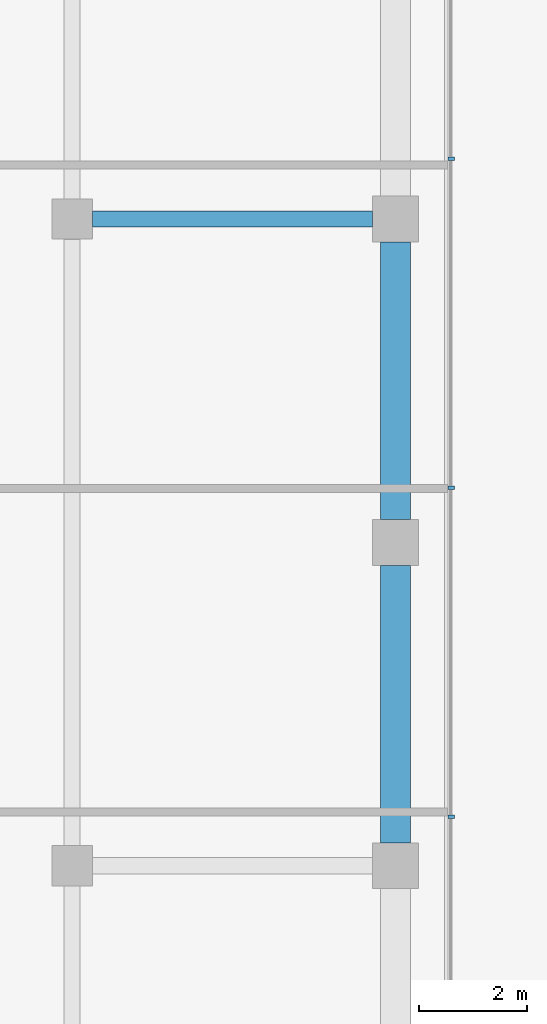
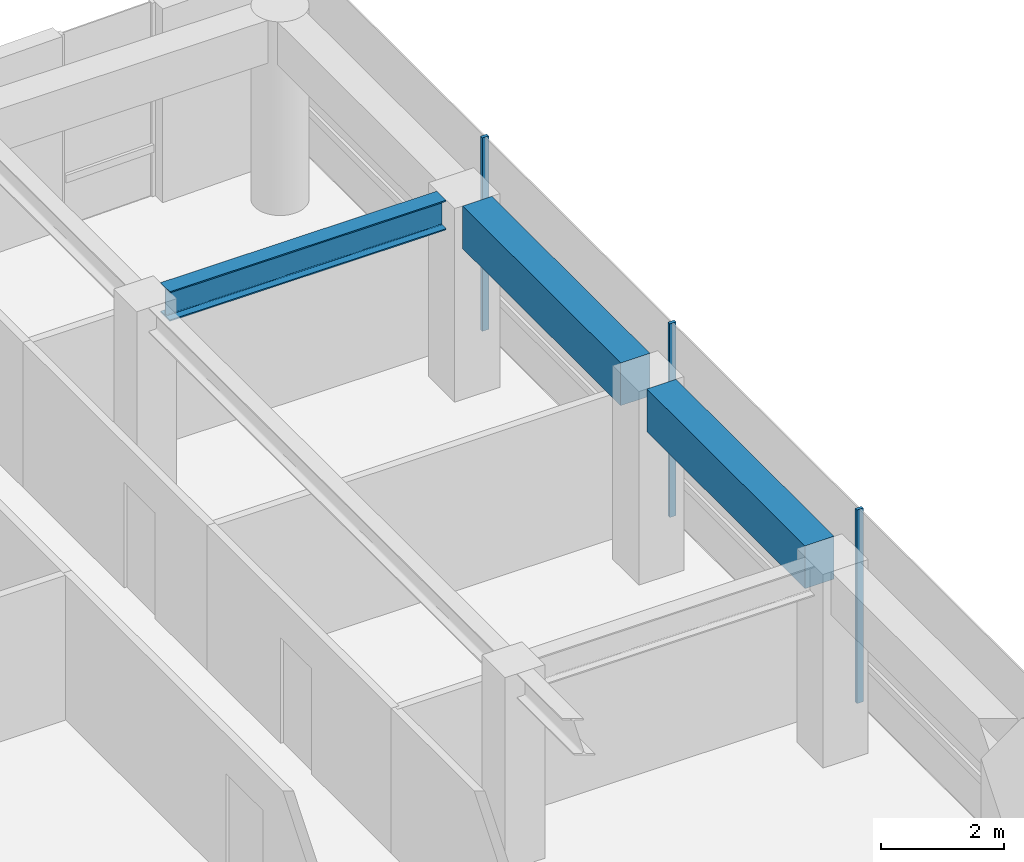
# One storey, part 13 of 20: 3 beams, 3 members, 1 element without a shape of its own.
"""IFC4 building model written with IfcOpenShell, lengths in metres."""

from ifc_helpers import new_model, si_unit, direction, frame, origin, origin_2d, place, context, subcontext, project, spatial, rectangle, i_section, extrude, material, layer, layer_set, material_profile, profile_set, type_object, element, aggregate, save


model = new_model("IFC4")

# Units and contexts
model_context = context("Model", 3, precision=1e-05, world=origin(), true_north=direction((0.0, 1.0)))
body_context = subcontext(model_context, "Body", "Model", "MODEL_VIEW")
ifc_project = project(units=[si_unit("LENGTHUNIT", "METRE"), si_unit("AREAUNIT", "SQUARE_METRE"), si_unit("VOLUMEUNIT", "CUBIC_METRE"), si_unit("PLANEANGLEUNIT", "RADIAN"), si_unit("MASSUNIT", "GRAM", prefix="KILO")], contexts=[model_context])

# Site, building, storey
site_placement = place(None, origin())
site = spatial("IfcSite", under=ifc_project, at=site_placement, CompositionType="ELEMENT")
building_placement = place(site_placement, origin())
building = spatial("IfcBuilding", under=site, at=building_placement, Name="Welwitschia Terrace Campus", CompositionType="ELEMENT")
storey_placement = place(building_placement, frame((0.0, 0.0, 176.0)))
storey = spatial("IfcBuildingStorey", under=building, at=storey_placement, Name="L39", CompositionType="ELEMENT", Elevation=176.0)

# Curtain wall, members
ifc_material_1 = material(Name="Bronze anodised aluminium", Category="aluminium")
ifc_layer = layer(ifc_material_1, 0.1201171875)
ifc_layer_set = layer_set([ifc_layer], Name="Bronze anodised aluminium")
curtain_wall_type = type_object("IfcCurtainWallType", Name="Curtain wall CW2 tower 6000", PredefinedType="NOTDEFINED", material=ifc_layer_set)
curtain_wall_placement = place(storey_placement, origin())
curtain_wall = element("IfcCurtainWall", 1, at=curtain_wall_placement, inside=storey, type_object=curtain_wall_type, Name="CW L39.9.0", PredefinedType="NOTDEFINED")
ifc_material_2 = material(Name="Bronze anodised aluminium", Category="aluminium")
ifc_material_profile_1 = material_profile(ifc_material_2, rectangle(XDim=0.1201171875, YDim=0.06005859375, at=origin_2d()))
ifc_profile_set_1 = profile_set([ifc_material_profile_1], Name="Bronze anodised aluminium")
member_type = type_object("IfcMemberType", Name="Mullion 60x120", PredefinedType="MULLION", material=ifc_profile_set_1)
member_1_placement = place(storey_placement, frame((25.030029296875, 44.912109375, 0.0), z_axis=(0.0, 0.0, 1.0), x_axis=(-1.0, 0.0, 0.0)))
member_1 = element("IfcMember", 2, at=member_1_placement, type_object=member_type, Name="Mullion L39.9.0.3", PredefinedType="MULLION", context=body_context, shape_type="SweptSolid", body=[
    extrude(rectangle(XDim=0.1201171875, YDim=0.06005859375, at=origin_2d()), origin(), (0.0, 0.0, 1.0), 3.85009765625),
])
member_2_placement = place(storey_placement, frame((25.030029296875, 51.01513671875, 0.0), z_axis=(0.0, 0.0, 1.0), x_axis=(-1.0, 0.0, 0.0)))
member_2 = element("IfcMember", 3, at=member_2_placement, type_object=member_type, Name="Mullion L39.9.0.4", PredefinedType="MULLION", context=body_context, shape_type="SweptSolid", body=[
    extrude(rectangle(XDim=0.1201171875, YDim=0.06005859375, at=origin_2d()), origin(), (0.0, 0.0, 1.0), 3.85009765625),
])
member_3_placement = place(storey_placement, frame((25.030029296875, 57.1181640625, 0.0), z_axis=(0.0, 0.0, 1.0), x_axis=(-1.0, 0.0, 0.0)))
member_3 = element("IfcMember", 4, at=member_3_placement, type_object=member_type, Name="Mullion L39.9.0.5", PredefinedType="MULLION", context=body_context, shape_type="SweptSolid", body=[
    extrude(rectangle(XDim=0.1201171875, YDim=0.06005859375, at=origin_2d()), origin(), (0.0, 0.0, 1.0), 3.85009765625),
])
aggregate(curtain_wall, [member_1, member_2, member_3])

# Beams
ifc_material_3 = material(Name="Steel S355", Category="steel")
ifc_material_profile_2 = material_profile(ifc_material_3, i_section(OverallWidth=0.300048828125, OverallDepth=0.590087890625, WebThickness=0.012939453125, FlangeThickness=0.02490234375, FilletRadius=0.027099609375, at=origin_2d()))
ifc_profile_set_2 = profile_set([ifc_material_profile_2], Name="Steel S355")
beam_type_1 = type_object("IfcBeamType", Name="Primary beam HE 600 A", PredefinedType="BEAM", material=ifc_profile_set_2)
beam_placement = place(storey_placement, frame((23.574462890625, 56.0, 3.554931640625), z_axis=(-1.0, 0.0, 0.0), x_axis=(0.0, -1.0, 0.0)))
element("IfcBeam", 5, at=beam_placement, inside=storey, type_object=beam_type_1, Name="Primary beam PB4", PredefinedType="BEAM", context=body_context, shape_type="SweptSolid", body=[
    extrude(i_section(OverallWidth=0.300048828125, OverallDepth=0.590087890625, WebThickness=0.012939453125, FlangeThickness=0.02490234375, FilletRadius=0.027099609375, at=origin_2d()), origin(), (0.0, 0.0, 1.0), 5.198974609375),
])
ifc_material_4 = material(Name="Concrete C50/60", Category="concrete")
ifc_material_profile_3 = material_profile(ifc_material_4, rectangle(XDim=0.550048828125, YDim=0.85009765625, at=origin_2d()))
ifc_profile_set_3 = profile_set([ifc_material_profile_3], Name="Concrete C50/60")
beam_type_2 = type_object("IfcBeamType", Name="Ring spandrel 550x850", PredefinedType="SPANDREL", material=ifc_profile_set_3)
for number, where, z_axis, x_axis, name in (
    (6, (24.0, 44.425537109375, 3.425048828125), (0.0, 1.0, 0.0), (-1.0, 0.0, 0.0), "Spandrel SP3"),
    (7, (24.0, 50.425537109375, 3.425048828125), (0.0, 1.0, 0.0), (-1.0, 0.0, 0.0), "Spandrel SP3"),
):
    element("IfcBeam", number, at=place(storey_placement, frame(where, z_axis=z_axis, x_axis=x_axis)), inside=storey, type_object=beam_type_2, Name=name, PredefinedType="SPANDREL", context=body_context, shape_type="SweptSolid", body=[
        extrude(rectangle(XDim=0.550048828125, YDim=0.85009765625, at=origin_2d()), origin(), (0.0, 0.0, 1.0), 5.14892578125),
    ])

save(model, "model.ifc")
